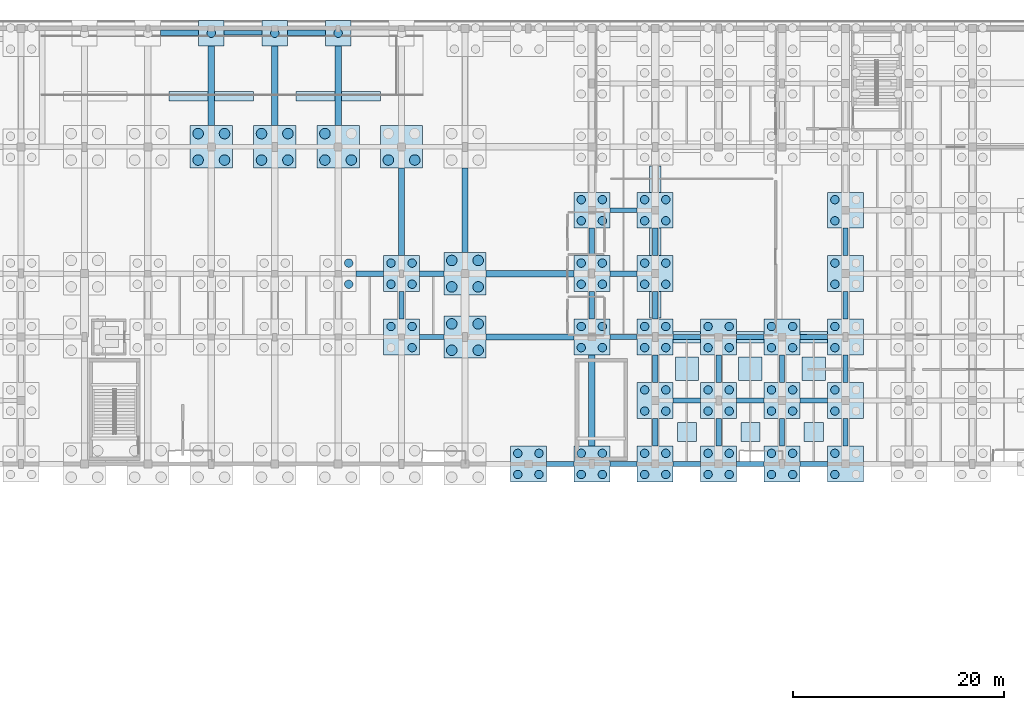
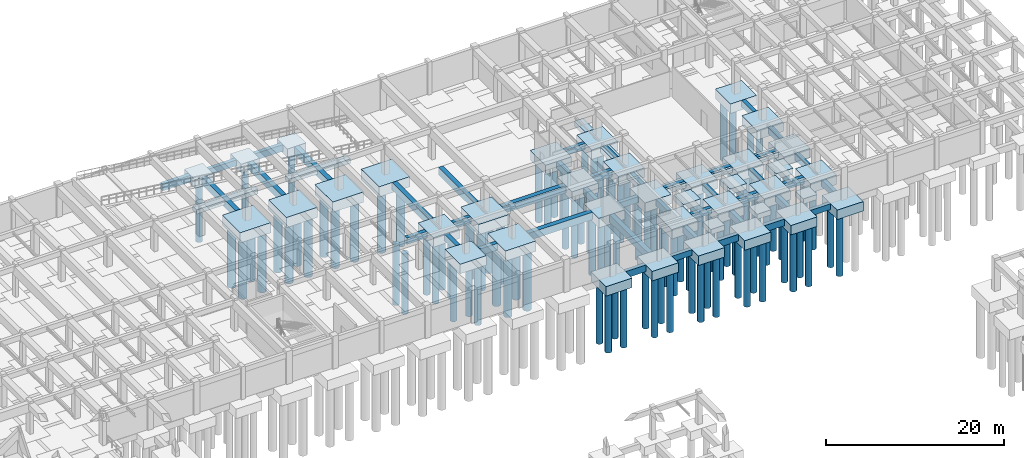
# One storey, part 7 of 32: 107 piles, 85 footings.
"""IFC4 building model written with IfcOpenShell, lengths in metres."""

from ifc_helpers import new_model, si_unit, direction, frame, origin, origin_2d, place, context, subcontext, project, spatial, rectangle, circle, extrude, material, material_profile, profile_set, type_object, element, save


model = new_model("IFC4")

# Units and contexts
model_context = context("Model", 3, precision=1e-05, world=origin(), true_north=direction((0.0, 1.0)))
body_context = subcontext(model_context, "Body", "Model", "MODEL_VIEW")
ifc_project = project(units=[si_unit("LENGTHUNIT", "METRE"), si_unit("AREAUNIT", "SQUARE_METRE"), si_unit("VOLUMEUNIT", "CUBIC_METRE"), si_unit("PLANEANGLEUNIT", "RADIAN"), si_unit("MASSUNIT", "GRAM", prefix="KILO")], contexts=[model_context])

# Site, building, storey
site_placement = place(None, origin())
site = spatial("IfcSite", under=ifc_project, at=site_placement, CompositionType="ELEMENT")
building_placement = place(site_placement, origin())
building = spatial("IfcBuilding", under=site, at=building_placement, Name="Varnakota Square Police Headquarters", CompositionType="ELEMENT")
storey_placement = place(building_placement, frame((0.0, 0.0, -4.5)))
storey = spatial("IfcBuildingStorey", under=building, at=storey_placement, Name="B1", CompositionType="ELEMENT", Elevation=-4.5)

# Footings
ifc_material_1 = material(Name="Concrete M40", Category="concrete")
ifc_material_profile_1 = material_profile(ifc_material_1, rectangle(XDim=0.5, YDim=0.89990234375, at=origin_2d()), Name="GB 500x900")
ifc_profile_set_1 = profile_set([ifc_material_profile_1], Name="Concrete M40")
footing_type_1 = type_object("IfcFootingType", Name="FT-GB1", PredefinedType="FOOTING_BEAM", material=ifc_profile_set_1)
for number, where, z_axis, x_axis, name in (
    (1, (103.699951171875, 69.0, -0.449951171875), (1.0, 0.0, 0.0), (0.0, 1.0, 0.0), "Ground tie beam GB-0068"),
    (2, (115.699951171875, 69.0, -0.449951171875), (1.0, 0.0, 0.0), (0.0, 1.0, 0.0), "Ground tie beam GB-0070"),
    (3, (121.699951171875, 69.0, -0.449951171875), (1.0, 0.0, 0.0), (0.0, 1.0, 0.0), "Ground tie beam GB-0071"),
    (4, (121.699951171875, 75.0, -0.449951171875), (1.0, 0.0, 0.0), (0.0, 1.0, 0.0), "Ground tie beam GB-0085"),
    (5, (127.699951171875, 75.0, -0.449951171875), (1.0, 0.0, 0.0), (0.0, 1.0, 0.0), "Ground tie beam GB-0086"),
):
    element("IfcFooting", number, at=place(storey_placement, frame(where, z_axis=z_axis, x_axis=x_axis)), inside=storey, type_object=footing_type_1, Name=name, PredefinedType="FOOTING_BEAM", context=body_context, shape_type="SweptSolid", body=[
        extrude(rectangle(XDim=0.5, YDim=0.89990234375, at=origin_2d()), origin(), (0.0, 0.0, 1.0), 2.60009765625),
    ])
footing_1_placement = place(storey_placement, frame((91.699951171875, 81.0, -0.449951171875), z_axis=(1.0, 0.0, 0.0), x_axis=(0.0, 1.0, 0.0)))
element("IfcFooting", 6, at=footing_1_placement, inside=storey, type_object=footing_type_1, Name="Ground tie beam GB-0103", PredefinedType="FOOTING_BEAM", context=body_context, shape_type="SweptSolid", body=[
    extrude(rectangle(XDim=0.5, YDim=0.89990234375, at=origin_2d()), origin(), (0.0, 0.0, 1.0), 2.300048828125),
])
for number, where, z_axis, x_axis, name in (
    (7, (115.699951171875, 81.0, -0.449951171875), (1.0, 0.0, 0.0), (0.0, 1.0, 0.0), "Ground tie beam GB-0106"),
    (8, (121.699951171875, 81.0, -0.449951171875), (1.0, 0.0, 0.0), (0.0, 1.0, 0.0), "Ground tie beam GB-0107"),
    (9, (85.699951171875, 87.0, -0.449951171875), (1.0, 0.0, 0.0), (0.0, 1.0, 0.0), "Ground tie beam GB-0124"),
):
    element("IfcFooting", number, at=place(storey_placement, frame(where, z_axis=z_axis, x_axis=x_axis)), inside=storey, type_object=footing_type_1, Name=name, PredefinedType="FOOTING_BEAM", context=body_context, shape_type="SweptSolid", body=[
        extrude(rectangle(XDim=0.5, YDim=0.89990234375, at=origin_2d()), origin(), (0.0, 0.0, 1.0), 2.60009765625),
    ])
footing_2_placement = place(storey_placement, frame((91.699951171875, 87.0, -0.449951171875), z_axis=(1.0, 0.0, 0.0), x_axis=(0.0, 1.0, 0.0)))
element("IfcFooting", 10, at=footing_2_placement, inside=storey, type_object=footing_type_1, Name="Ground tie beam GB-0125", PredefinedType="FOOTING_BEAM", context=body_context, shape_type="SweptSolid", body=[
    extrude(rectangle(XDim=0.5, YDim=0.89990234375, at=origin_2d()), origin(), (0.0, 0.0, 1.0), 2.300048828125),
])
footing_3_placement = place(storey_placement, frame((109.699951171875, 87.0, -0.449951171875), z_axis=(1.0, 0.0, 0.0), x_axis=(0.0, 1.0, 0.0)))
element("IfcFooting", 11, at=footing_3_placement, inside=storey, type_object=footing_type_1, Name="Ground tie beam GB-0127", PredefinedType="FOOTING_BEAM", context=body_context, shape_type="SweptSolid", body=[
    extrude(rectangle(XDim=0.5, YDim=0.89990234375, at=origin_2d()), origin(), (0.0, 0.0, 1.0), 2.60009765625),
])
for number, where, z_axis, x_axis, name in (
    (12, (67.199951171875, 109.800048828125, -0.449951171875), (1.0, 0.0, 0.0), (0.0, 1.0, 0.0), "Ground tie beam GB-0179"),
    (13, (79.199951171875, 109.800048828125, -0.449951171875), (1.0, 0.0, 0.0), (0.0, 1.0, 0.0), "Ground tie beam GB-0181"),
):
    element("IfcFooting", number, at=place(storey_placement, frame(where, z_axis=z_axis, x_axis=x_axis)), inside=storey, type_object=footing_type_1, Name=name, PredefinedType="FOOTING_BEAM", context=body_context, shape_type="SweptSolid", body=[
        extrude(rectangle(XDim=0.5, YDim=0.89990234375, at=origin_2d()), origin(), (0.0, 0.0, 1.0), 3.60009765625),
    ])
for number, where, z_axis, x_axis, name in (
    (14, (90.0, 82.699951171875, -0.449951171875), (0.0, 1.0, 0.0), (-1.0, 0.0, 0.0), "Ground tie beam GB-0285"),
    (15, (108.0, 82.699951171875, -0.449951171875), (0.0, 1.0, 0.0), (-1.0, 0.0, 0.0), "Ground tie beam GB-0300"),
    (16, (108.0, 88.699951171875, -0.449951171875), (0.0, 1.0, 0.0), (-1.0, 0.0, 0.0), "Ground tie beam GB-0301"),
    (17, (114.0, 70.699951171875, -0.449951171875), (0.0, 1.0, 0.0), (-1.0, 0.0, 0.0), "Ground tie beam GB-0305"),
    (18, (114.0, 76.699951171875, -0.449951171875), (0.0, 1.0, 0.0), (-1.0, 0.0, 0.0), "Ground tie beam GB-0306"),
    (19, (114.0, 82.699951171875, -0.449951171875), (0.0, 1.0, 0.0), (-1.0, 0.0, 0.0), "Ground tie beam GB-0307"),
    (20, (114.0, 88.699951171875, -0.449951171875), (0.0, 1.0, 0.0), (-1.0, 0.0, 0.0), "Ground tie beam GB-0308"),
    (21, (120.0, 70.699951171875, -0.449951171875), (0.0, 1.0, 0.0), (-1.0, 0.0, 0.0), "Ground tie beam GB-0313"),
    (22, (120.0, 76.699951171875, -0.449951171875), (0.0, 1.0, 0.0), (-1.0, 0.0, 0.0), "Ground tie beam GB-0314"),
    (23, (126.0, 70.699951171875, -0.449951171875), (0.0, 1.0, 0.0), (-1.0, 0.0, 0.0), "Ground tie beam GB-0318"),
    (24, (126.0, 76.699951171875, -0.449951171875), (0.0, 1.0, 0.0), (-1.0, 0.0, 0.0), "Ground tie beam GB-0319"),
    (25, (132.0, 70.699951171875, -0.449951171875), (0.0, 1.0, 0.0), (-1.0, 0.0, 0.0), "Ground tie beam GB-0323"),
    (26, (132.0, 76.699951171875, -0.449951171875), (0.0, 1.0, 0.0), (-1.0, 0.0, 0.0), "Ground tie beam GB-0324"),
    (27, (132.0, 82.699951171875, -0.449951171875), (0.0, 1.0, 0.0), (-1.0, 0.0, 0.0), "Ground tie beam GB-0325"),
    (28, (132.0, 88.699951171875, -0.449951171875), (0.0, 1.0, 0.0), (-1.0, 0.0, 0.0), "Ground tie beam GB-0326"),
):
    element("IfcFooting", number, at=place(storey_placement, frame(where, z_axis=z_axis, x_axis=x_axis)), inside=storey, type_object=footing_type_1, Name=name, PredefinedType="FOOTING_BEAM", context=body_context, shape_type="SweptSolid", body=[
        extrude(rectangle(XDim=0.5, YDim=0.89990234375, at=origin_2d()), origin(), (0.0, 0.0, 1.0), 2.60009765625),
    ])
ifc_material_profile_2 = material_profile(ifc_material_1, rectangle(XDim=0.60009765625, YDim=1.0, at=origin_2d()), Name="GB 600x1000")
ifc_profile_set_2 = profile_set([ifc_material_profile_2], Name="Concrete M40")
footing_type_2 = type_object("IfcFootingType", Name="FT-GB2", PredefinedType="FOOTING_BEAM", material=ifc_profile_set_2)
for number, where, z_axis, x_axis, name in (
    (29, (98.0, 81.0, -0.5), (1.0, 0.0, 0.0), (0.0, 1.0, 0.0), "Ground tie beam GB-0104"),
    (30, (98.0, 87.0, -0.5), (1.0, 0.0, 0.0), (0.0, 1.0, 0.0), "Ground tie beam GB-0126"),
):
    element("IfcFooting", number, at=place(storey_placement, frame(where, z_axis=z_axis, x_axis=x_axis)), inside=storey, type_object=footing_type_2, Name=name, PredefinedType="FOOTING_BEAM", context=body_context, shape_type="SweptSolid", body=[
        extrude(rectangle(XDim=0.60009765625, YDim=1.0, at=origin_2d()), origin(), (0.0, 0.0, 1.0), 8.300048828125),
    ])
for number, where, z_axis, x_axis, name in (
    (31, (72.0, 101.0, -0.5), (0.0, 1.0, 0.0), (-1.0, 0.0, 0.0), "Ground tie beam GB-0270"),
    (32, (78.0, 101.0, -0.5), (0.0, 1.0, 0.0), (-1.0, 0.0, 0.0), "Ground tie beam GB-0275"),
    (33, (84.0, 101.0, -0.5), (0.0, 1.0, 0.0), (-1.0, 0.0, 0.0), "Ground tie beam GB-0280"),
):
    element("IfcFooting", number, at=place(storey_placement, frame(where, z_axis=z_axis, x_axis=x_axis)), inside=storey, type_object=footing_type_2, Name=name, PredefinedType="FOOTING_BEAM", context=body_context, shape_type="SweptSolid", body=[
        extrude(rectangle(XDim=0.60009765625, YDim=1.0, at=origin_2d()), origin(), (0.0, 0.0, 1.0), 7.550048828125),
    ])
footing_4_placement = place(storey_placement, frame((90.0, 88.699951171875, -0.5), z_axis=(0.0, 1.0, 0.0), x_axis=(-1.0, 0.0, 0.0)))
element("IfcFooting", 34, at=footing_4_placement, inside=storey, type_object=footing_type_2, Name="Ground tie beam GB-0286", PredefinedType="FOOTING_BEAM", context=body_context, shape_type="SweptSolid", body=[
    extrude(rectangle(XDim=0.60009765625, YDim=1.0, at=origin_2d()), origin(), (0.0, 0.0, 1.0), 8.300048828125),
])
footing_5_placement = place(storey_placement, frame((96.0, 89.0, -0.5), z_axis=(0.0, 1.0, 0.0), x_axis=(-1.0, 0.0, 0.0)))
element("IfcFooting", 35, at=footing_5_placement, inside=storey, type_object=footing_type_2, Name="Ground tie beam GB-0295", PredefinedType="FOOTING_BEAM", context=body_context, shape_type="SweptSolid", body=[
    extrude(rectangle(XDim=0.60009765625, YDim=1.0, at=origin_2d()), origin(), (0.0, 0.0, 1.0), 8.0),
])
footing_6_placement = place(storey_placement, frame((108.0, 70.699951171875, -0.5), z_axis=(0.0, 1.0, 0.0), x_axis=(-1.0, 0.0, 0.0)))
element("IfcFooting", 36, at=footing_6_placement, inside=storey, type_object=footing_type_2, Name="Ground tie beam GB-0299", PredefinedType="FOOTING_BEAM", context=body_context, shape_type="SweptSolid", body=[
    extrude(rectangle(XDim=0.60009765625, YDim=1.0, at=origin_2d()), origin(), (0.0, 0.0, 1.0), 8.60009765625),
])
ifc_material_profile_3 = material_profile(ifc_material_1, rectangle(XDim=0.449951171875, YDim=0.800048828125, at=origin_2d()), Name="GB 450x800")
ifc_profile_set_3 = profile_set([ifc_material_profile_3], Name="Concrete M40")
footing_type_3 = type_object("IfcFootingType", Name="FT-GB3", PredefinedType="FOOTING_BEAM", material=ifc_profile_set_3)
for number, where, z_axis, x_axis, name in (
    (37, (109.699951171875, 69.0, -0.39990234375), (1.0, 0.0, 0.0), (0.0, 1.0, 0.0), "Ground tie beam GB-0069"),
    (38, (127.699951171875, 69.0, -0.39990234375), (1.0, 0.0, 0.0), (0.0, 1.0, 0.0), "Ground tie beam GB-0072"),
    (39, (115.699951171875, 75.0, -0.39990234375), (1.0, 0.0, 0.0), (0.0, 1.0, 0.0), "Ground tie beam GB-0084"),
    (40, (109.699951171875, 81.0, -0.39990234375), (1.0, 0.0, 0.0), (0.0, 1.0, 0.0), "Ground tie beam GB-0105"),
    (41, (127.699951171875, 81.0, -0.39990234375), (1.0, 0.0, 0.0), (0.0, 1.0, 0.0), "Ground tie beam GB-0108"),
    (42, (109.699951171875, 93.0, -0.39990234375), (1.0, 0.0, 0.0), (0.0, 1.0, 0.0), "Ground tie beam GB-0132"),
):
    element("IfcFooting", number, at=place(storey_placement, frame(where, z_axis=z_axis, x_axis=x_axis)), inside=storey, type_object=footing_type_3, Name=name, PredefinedType="FOOTING_BEAM", context=body_context, shape_type="SweptSolid", body=[
        extrude(rectangle(XDim=0.449951171875, YDim=0.800048828125, at=origin_2d()), origin(), (0.0, 0.0, 1.0), 2.60009765625),
    ])
footing_7_placement = place(storey_placement, frame((73.199951171875, 109.800048828125, -0.39990234375), z_axis=(1.0, 0.0, 0.0), x_axis=(0.0, 1.0, 0.0)))
element("IfcFooting", 43, at=footing_7_placement, inside=storey, type_object=footing_type_3, Name="Ground tie beam GB-0180", PredefinedType="FOOTING_BEAM", context=body_context, shape_type="SweptSolid", body=[
    extrude(rectangle(XDim=0.449951171875, YDim=0.800048828125, at=origin_2d()), origin(), (0.0, 0.0, 1.0), 3.60009765625),
])
footing_type_4 = type_object("IfcFootingType", Name="FT-PC1", PredefinedType="PILE_CAP", material=ifc_material_1)
for number, where, z_axis, x_axis, name in (
    (44, (72.0, 109.75, -1.2001953125), (0.0, 0.0, 1.0), (1.0, 0.0, 0.0), "Pile cap CAP-X0720-Y1102"),
    (45, (78.0, 109.75, -1.2001953125), (0.0, 0.0, 1.0), (1.0, 0.0, 0.0), "Pile cap CAP-X0780-Y1102"),
    (46, (84.0, 109.75, -1.2001953125), (0.0, 0.0, 1.0), (1.0, 0.0, 0.0), "Pile cap CAP-X0840-Y1102"),
):
    element("IfcFooting", number, at=place(storey_placement, frame(where, z_axis=z_axis, x_axis=x_axis)), inside=storey, type_object=footing_type_4, Name=name, PredefinedType="PILE_CAP", context=body_context, shape_type="SweptSolid", body=[
        extrude(rectangle(XDim=2.39990234375, YDim=2.39990234375, at=origin_2d()), origin(), (0.0, 0.0, 1.0), 1.199951171875),
    ])
footing_type_5 = type_object("IfcFootingType", Name="FT-PC4", PredefinedType="PILE_CAP", material=ifc_material_1)
for number, where, z_axis, x_axis, name in (
    (47, (90.0, 81.0, -1.2998046875), (0.0, 0.0, 1.0), (1.0, 0.0, 0.0), "Pile cap CAP-X0900-Y0810"),
    (48, (90.0, 87.0, -1.2998046875), (0.0, 0.0, 1.0), (1.0, 0.0, 0.0), "Pile cap CAP-X0900-Y0870"),
    (49, (102.0, 69.0, -1.2998046875), (0.0, 0.0, 1.0), (1.0, 0.0, 0.0), "Pile cap CAP-X1020-Y0690"),
    (50, (108.0, 69.0, -1.2998046875), (0.0, 0.0, 1.0), (1.0, 0.0, 0.0), "Pile cap CAP-X1080-Y0690"),
    (51, (108.0, 81.0, -1.2998046875), (0.0, 0.0, 1.0), (1.0, 0.0, 0.0), "Pile cap CAP-X1080-Y0810"),
    (52, (108.0, 87.0, -1.2998046875), (0.0, 0.0, 1.0), (1.0, 0.0, 0.0), "Pile cap CAP-X1080-Y0870"),
    (53, (108.0, 93.0, -1.2998046875), (0.0, 0.0, 1.0), (1.0, 0.0, 0.0), "Pile cap CAP-X1080-Y0930"),
    (54, (114.0, 69.0, -1.2998046875), (0.0, 0.0, 1.0), (1.0, 0.0, 0.0), "Pile cap CAP-X1140-Y0690"),
    (55, (114.0, 75.0, -1.2998046875), (0.0, 0.0, 1.0), (1.0, 0.0, 0.0), "Pile cap CAP-X1140-Y0750"),
    (56, (114.0, 81.0, -1.2998046875), (0.0, 0.0, 1.0), (1.0, 0.0, 0.0), "Pile cap CAP-X1140-Y0810"),
    (57, (114.0, 87.0, -1.2998046875), (0.0, 0.0, 1.0), (1.0, 0.0, 0.0), "Pile cap CAP-X1140-Y0870"),
    (58, (114.0, 93.0, -1.2998046875), (0.0, 0.0, 1.0), (1.0, 0.0, 0.0), "Pile cap CAP-X1140-Y0930"),
    (59, (120.0, 69.0, -1.2998046875), (0.0, 0.0, 1.0), (1.0, 0.0, 0.0), "Pile cap CAP-X1200-Y0690"),
    (60, (120.0, 75.0, -1.2998046875), (0.0, 0.0, 1.0), (1.0, 0.0, 0.0), "Pile cap CAP-X1200-Y0750"),
    (61, (120.0, 81.0, -1.2998046875), (0.0, 0.0, 1.0), (1.0, 0.0, 0.0), "Pile cap CAP-X1200-Y0810"),
    (62, (126.0, 69.0, -1.2998046875), (0.0, 0.0, 1.0), (1.0, 0.0, 0.0), "Pile cap CAP-X1260-Y0690"),
    (63, (126.0, 75.0, -1.2998046875), (0.0, 0.0, 1.0), (1.0, 0.0, 0.0), "Pile cap CAP-X1260-Y0750"),
    (64, (126.0, 81.0, -1.2998046875), (0.0, 0.0, 1.0), (1.0, 0.0, 0.0), "Pile cap CAP-X1260-Y0810"),
    (65, (132.0, 69.0, -1.2998046875), (0.0, 0.0, 1.0), (1.0, 0.0, 0.0), "Pile cap CAP-X1320-Y0690"),
    (66, (132.0, 75.0, -1.2998046875), (0.0, 0.0, 1.0), (1.0, 0.0, 0.0), "Pile cap CAP-X1320-Y0750"),
    (67, (132.0, 81.0, -1.2998046875), (0.0, 0.0, 1.0), (1.0, 0.0, 0.0), "Pile cap CAP-X1320-Y0810"),
    (68, (132.0, 87.0, -1.2998046875), (0.0, 0.0, 1.0), (1.0, 0.0, 0.0), "Pile cap CAP-X1320-Y0870"),
    (69, (132.0, 93.0, -1.2998046875), (0.0, 0.0, 1.0), (1.0, 0.0, 0.0), "Pile cap CAP-X1320-Y0930"),
):
    element("IfcFooting", number, at=place(storey_placement, frame(where, z_axis=z_axis, x_axis=x_axis)), inside=storey, type_object=footing_type_5, Name=name, PredefinedType="PILE_CAP", context=body_context, shape_type="SweptSolid", body=[
        extrude(rectangle(XDim=3.39990234375, YDim=3.39990234375, at=origin_2d()), origin(), (0.0, 0.0, 1.0), 1.300048828125),
    ])
ifc_material_2 = material(Name="Concrete M50", Category="concrete")
footing_type_6 = type_object("IfcFootingType", Name="FT-PC6", PredefinedType="PILE_CAP", material=ifc_material_2)
for number, where, z_axis, x_axis, name in (
    (70, (72.0, 99.0, -1.39990234375), (0.0, 0.0, 1.0), (1.0, 0.0, 0.0), "Pile cap CAP-X0720-Y0990"),
    (71, (78.0, 99.0, -1.39990234375), (0.0, 0.0, 1.0), (1.0, 0.0, 0.0), "Pile cap CAP-X0780-Y0990"),
    (72, (84.0, 99.0, -1.39990234375), (0.0, 0.0, 1.0), (1.0, 0.0, 0.0), "Pile cap CAP-X0840-Y0990"),
    (73, (90.0, 99.0, -1.39990234375), (0.0, 0.0, 1.0), (1.0, 0.0, 0.0), "Pile cap CAP-X0900-Y0990"),
    (74, (96.0, 81.0, -1.39990234375), (0.0, 0.0, 1.0), (1.0, 0.0, 0.0), "Pile cap CAP-X0960-Y0810"),
    (75, (96.0, 87.0, -1.39990234375), (0.0, 0.0, 1.0), (1.0, 0.0, 0.0), "Pile cap CAP-X0960-Y0870"),
):
    element("IfcFooting", number, at=place(storey_placement, frame(where, z_axis=z_axis, x_axis=x_axis)), inside=storey, type_object=footing_type_6, Name=name, PredefinedType="PILE_CAP", context=body_context, shape_type="SweptSolid", body=[
        extrude(rectangle(XDim=4.0, YDim=4.0, at=origin_2d()), origin(), (0.0, 0.0, 1.0), 1.39990234375),
    ])
footing_type_7 = type_object("IfcFootingType", Name="FT-PF1", PredefinedType="PAD_FOOTING", material=ifc_material_1)
for number, where, z_axis, x_axis, name in (
    (76, (117.0, 72.0, -0.7001953125), (0.0, 0.0, 1.0), (1.0, 0.0, 0.0), "Equipment pad footing 1"),
    (77, (123.0, 72.0, -0.7001953125), (0.0, 0.0, 1.0), (1.0, 0.0, 0.0), "Equipment pad footing 2"),
    (78, (129.0, 72.0, -0.7001953125), (0.0, 0.0, 1.0), (1.0, 0.0, 0.0), "Equipment pad footing 3"),
):
    element("IfcFooting", number, at=place(storey_placement, frame(where, z_axis=z_axis, x_axis=x_axis)), inside=storey, type_object=footing_type_7, Name=name, PredefinedType="PAD_FOOTING", context=body_context, shape_type="SweptSolid", body=[
        extrude(rectangle(XDim=1.800048828125, YDim=1.800048828125, at=origin_2d()), origin(), (0.0, 0.0, 1.0), 0.699951171875),
    ])
footing_type_8 = type_object("IfcFootingType", Name="FT-PF2", PredefinedType="PAD_FOOTING", material=ifc_material_1)
for number, where, z_axis, x_axis, name in (
    (79, (117.0, 78.0, -0.7998046875), (0.0, 0.0, 1.0), (1.0, 0.0, 0.0), "Equipment pad footing 4"),
    (80, (123.0, 78.0, -0.7998046875), (0.0, 0.0, 1.0), (1.0, 0.0, 0.0), "Equipment pad footing 5"),
    (81, (129.0, 78.0, -0.7998046875), (0.0, 0.0, 1.0), (1.0, 0.0, 0.0), "Equipment pad footing 6"),
):
    element("IfcFooting", number, at=place(storey_placement, frame(where, z_axis=z_axis, x_axis=x_axis)), inside=storey, type_object=footing_type_8, Name=name, PredefinedType="PAD_FOOTING", context=body_context, shape_type="SweptSolid", body=[
        extrude(rectangle(XDim=2.199951171875, YDim=2.199951171875, at=origin_2d()), origin(), (0.0, 0.0, 1.0), 0.800048828125),
    ])
ifc_material_profile_4 = material_profile(ifc_material_1, rectangle(XDim=0.89990234375, YDim=0.60009765625, at=origin_2d()), Name="SF 900x600")
ifc_profile_set_4 = profile_set([ifc_material_profile_4], Name="Concrete M40")
footing_type_9 = type_object("IfcFootingType", Name="FT-SF1", PredefinedType="STRIP_FOOTING", material=ifc_profile_set_4)
for number, where, z_axis, x_axis, name in (
    (82, (68.0, 103.800048828125, -0.300048828125), (1.0, 0.0, 0.0), (0.0, 1.0, 0.0), "Strip footing SF-02"),
    (83, (80.0, 103.800048828125, -0.300048828125), (1.0, 0.0, 0.0), (0.0, 1.0, 0.0), "Strip footing SF-03"),
):
    element("IfcFooting", number, at=place(storey_placement, frame(where, z_axis=z_axis, x_axis=x_axis)), inside=storey, type_object=footing_type_9, Name=name, PredefinedType="STRIP_FOOTING", context=body_context, shape_type="SweptSolid", body=[
        extrude(rectangle(XDim=0.89990234375, YDim=0.60009765625, at=origin_2d()), origin(), (0.0, 0.0, 1.0), 8.0),
    ])
ifc_material_profile_5 = material_profile(ifc_material_1, rectangle(XDim=1.10009765625, YDim=0.699951171875, at=origin_2d()), Name="SF 1100x700")
ifc_profile_set_5 = profile_set([ifc_material_profile_5], Name="Concrete M40")
footing_type_10 = type_object("IfcFootingType", Name="FT-SF2", PredefinedType="STRIP_FOOTING", material=ifc_profile_set_5)
footing_8_placement = place(storey_placement, frame((115.5, 81.0, -0.35009765625), z_axis=(1.0, 0.0, 0.0), x_axis=(0.0, 1.0, 0.0)))
element("IfcFooting", 84, at=footing_8_placement, inside=storey, type_object=footing_type_10, Name="Strip footing SF-04", PredefinedType="STRIP_FOOTING", context=body_context, shape_type="SweptSolid", body=[
    extrude(rectangle(XDim=1.10009765625, YDim=0.699951171875, at=origin_2d()), origin(), (0.0, 0.0, 1.0), 15.0),
])
footing_9_placement = place(storey_placement, frame((114.0, 82.800048828125, -0.35009765625), z_axis=(0.0, 1.0, 0.0), x_axis=(-1.0, 0.0, 0.0)))
element("IfcFooting", 85, at=footing_9_placement, inside=storey, type_object=footing_type_10, Name="Strip footing SF-06", PredefinedType="STRIP_FOOTING", context=body_context, shape_type="SweptSolid", body=[
    extrude(rectangle(XDim=1.10009765625, YDim=0.699951171875, at=origin_2d()), origin(), (0.0, 0.0, 1.0), 14.39990234375),
])

# Piles
ifc_material_profile_6 = material_profile(ifc_material_2, circle(Radius=0.5, at=origin_2d()), Name="BORED PILE 1000")
ifc_profile_set_6 = profile_set([ifc_material_profile_6], Name="Concrete M50")
pile_type_1 = type_object("IfcPileType", Name="PILE-D1000", PredefinedType="BORED", material=ifc_profile_set_6)
for number, where, z_axis, x_axis, name in (
    (86, (70.75, 97.75, -1.300048828125), (0.0, 0.0, -1.0), (1.0, 0.0, 0.0), "Bored pile PLG-0558"),
    (87, (70.75, 100.25, -1.300048828125), (0.0, 0.0, -1.0), (1.0, 0.0, 0.0), "Bored pile PLG-0559"),
    (88, (73.25, 97.75, -1.300048828125), (0.0, 0.0, -1.0), (1.0, 0.0, 0.0), "Bored pile PLG-0560"),
    (89, (73.25, 100.25, -1.300048828125), (0.0, 0.0, -1.0), (1.0, 0.0, 0.0), "Bored pile PLG-0561"),
    (90, (76.75, 97.75, -1.300048828125), (0.0, 0.0, -1.0), (1.0, 0.0, 0.0), "Bored pile PLG-0581"),
    (91, (76.75, 100.25, -1.300048828125), (0.0, 0.0, -1.0), (1.0, 0.0, 0.0), "Bored pile PLG-0582"),
    (92, (79.25, 97.75, -1.300048828125), (0.0, 0.0, -1.0), (1.0, 0.0, 0.0), "Bored pile PLG-0583"),
    (93, (79.25, 100.25, -1.300048828125), (0.0, 0.0, -1.0), (1.0, 0.0, 0.0), "Bored pile PLG-0584"),
    (94, (82.75, 97.75, -1.300048828125), (0.0, 0.0, -1.0), (1.0, 0.0, 0.0), "Bored pile PLG-0604"),
    (95, (82.75, 100.25, -1.300048828125), (0.0, 0.0, -1.0), (1.0, 0.0, 0.0), "Bored pile PLG-0605"),
    (96, (85.25, 97.75, -1.300048828125), (0.0, 0.0, -1.0), (1.0, 0.0, 0.0), "Bored pile PLG-0606"),
    (97, (88.75, 97.75, -1.300048828125), (0.0, 0.0, -1.0), (1.0, 0.0, 0.0), "Bored pile PLG-0631"),
    (98, (91.25, 97.75, -1.300048828125), (0.0, 0.0, -1.0), (1.0, 0.0, 0.0), "Bored pile PLG-0633"),
    (99, (94.75, 79.75, -1.300048828125), (0.0, 0.0, -1.0), (1.0, 0.0, 0.0), "Bored pile PLG-0654"),
    (100, (94.75, 82.25, -1.300048828125), (0.0, 0.0, -1.0), (1.0, 0.0, 0.0), "Bored pile PLG-0655"),
    (101, (97.25, 79.75, -1.300048828125), (0.0, 0.0, -1.0), (1.0, 0.0, 0.0), "Bored pile PLG-0656"),
    (102, (97.25, 82.25, -1.300048828125), (0.0, 0.0, -1.0), (1.0, 0.0, 0.0), "Bored pile PLG-0657"),
    (103, (94.75, 85.75, -1.300048828125), (0.0, 0.0, -1.0), (1.0, 0.0, 0.0), "Bored pile PLG-0658"),
    (104, (94.75, 88.25, -1.300048828125), (0.0, 0.0, -1.0), (1.0, 0.0, 0.0), "Bored pile PLG-0659"),
    (105, (97.25, 85.75, -1.300048828125), (0.0, 0.0, -1.0), (1.0, 0.0, 0.0), "Bored pile PLG-0660"),
    (106, (97.25, 88.25, -1.300048828125), (0.0, 0.0, -1.0), (1.0, 0.0, 0.0), "Bored pile PLG-0661"),
):
    element("IfcPile", number, at=place(storey_placement, frame(where, z_axis=z_axis, x_axis=x_axis)), inside=storey, type_object=pile_type_1, Name=name, PredefinedType="BORED", context=body_context, shape_type="SweptSolid", body=[
        extrude(circle(Radius=0.5, at=origin_2d()), origin(), (0.0, 0.0, 1.0), 8.199951171875),
    ])
ifc_material_profile_7 = material_profile(ifc_material_1, circle(Radius=0.39990234375, at=origin_2d()), Name="BORED PILE 800")
ifc_profile_set_7 = profile_set([ifc_material_profile_7], Name="Concrete M40")
pile_type_2 = type_object("IfcPileType", Name="PILE-D800", PredefinedType="BORED", material=ifc_profile_set_7)
for number, where, z_axis, x_axis, name in (
    (107, (72.0, 109.75, -1.10009765625), (0.0, 0.0, -1.0), (1.0, 0.0, 0.0), "Bored pile PLG-0562"),
    (108, (78.0, 109.75, -1.10009765625), (0.0, 0.0, -1.0), (1.0, 0.0, 0.0), "Bored pile PLG-0585"),
):
    element("IfcPile", number, at=place(storey_placement, frame(where, z_axis=z_axis, x_axis=x_axis)), inside=storey, type_object=pile_type_2, Name=name, PredefinedType="BORED", context=body_context, shape_type="SweptSolid", body=[
        extrude(circle(Radius=0.39990234375, at=origin_2d()), origin(), (0.0, 0.0, 1.0), 8.39990234375),
    ])
for number, where, z_axis, x_axis, name in (
    (109, (85.0, 86.0, -1.199951171875), (0.0, 0.0, -1.0), (1.0, 0.0, 0.0), "Bored pile PLG-0602"),
    (110, (85.0, 88.0, -1.199951171875), (0.0, 0.0, -1.0), (1.0, 0.0, 0.0), "Bored pile PLG-0603"),
):
    element("IfcPile", number, at=place(storey_placement, frame(where, z_axis=z_axis, x_axis=x_axis)), inside=storey, type_object=pile_type_2, Name=name, PredefinedType="BORED", context=body_context, shape_type="SweptSolid", body=[
        extrude(circle(Radius=0.39990234375, at=origin_2d()), origin(), (0.0, 0.0, 1.0), 8.300048828125),
    ])
pile_placement = place(storey_placement, frame((84.0, 109.75, -1.10009765625), z_axis=(0.0, 0.0, -1.0), x_axis=(1.0, 0.0, 0.0)))
element("IfcPile", 111, at=pile_placement, inside=storey, type_object=pile_type_2, Name="Bored pile PLG-0608", PredefinedType="BORED", context=body_context, shape_type="SweptSolid", body=[
    extrude(circle(Radius=0.39990234375, at=origin_2d()), origin(), (0.0, 0.0, 1.0), 8.39990234375),
])
for number, where, z_axis, x_axis, name in (
    (112, (89.0, 82.0, -1.199951171875), (0.0, 0.0, -1.0), (1.0, 0.0, 0.0), "Bored pile PLG-0624"),
    (113, (91.0, 80.0, -1.199951171875), (0.0, 0.0, -1.0), (1.0, 0.0, 0.0), "Bored pile PLG-0625"),
    (114, (91.0, 82.0, -1.199951171875), (0.0, 0.0, -1.0), (1.0, 0.0, 0.0), "Bored pile PLG-0626"),
    (115, (89.0, 86.0, -1.199951171875), (0.0, 0.0, -1.0), (1.0, 0.0, 0.0), "Bored pile PLG-0627"),
    (116, (89.0, 88.0, -1.199951171875), (0.0, 0.0, -1.0), (1.0, 0.0, 0.0), "Bored pile PLG-0628"),
    (117, (91.0, 86.0, -1.199951171875), (0.0, 0.0, -1.0), (1.0, 0.0, 0.0), "Bored pile PLG-0629"),
    (118, (91.0, 88.0, -1.199951171875), (0.0, 0.0, -1.0), (1.0, 0.0, 0.0), "Bored pile PLG-0630"),
    (119, (101.0, 68.0, -1.199951171875), (0.0, 0.0, -1.0), (1.0, 0.0, 0.0), "Bored pile PLG-0680"),
    (120, (101.0, 70.0, -1.199951171875), (0.0, 0.0, -1.0), (1.0, 0.0, 0.0), "Bored pile PLG-0681"),
    (121, (103.0, 68.0, -1.199951171875), (0.0, 0.0, -1.0), (1.0, 0.0, 0.0), "Bored pile PLG-0682"),
    (122, (103.0, 70.0, -1.199951171875), (0.0, 0.0, -1.0), (1.0, 0.0, 0.0), "Bored pile PLG-0683"),
    (123, (107.0, 68.0, -1.199951171875), (0.0, 0.0, -1.0), (1.0, 0.0, 0.0), "Bored pile PLG-0703"),
    (124, (107.0, 70.0, -1.199951171875), (0.0, 0.0, -1.0), (1.0, 0.0, 0.0), "Bored pile PLG-0704"),
    (125, (109.0, 68.0, -1.199951171875), (0.0, 0.0, -1.0), (1.0, 0.0, 0.0), "Bored pile PLG-0705"),
    (126, (109.0, 70.0, -1.199951171875), (0.0, 0.0, -1.0), (1.0, 0.0, 0.0), "Bored pile PLG-0706"),
    (127, (107.0, 80.0, -1.199951171875), (0.0, 0.0, -1.0), (1.0, 0.0, 0.0), "Bored pile PLG-0707"),
    (128, (107.0, 82.0, -1.199951171875), (0.0, 0.0, -1.0), (1.0, 0.0, 0.0), "Bored pile PLG-0708"),
    (129, (109.0, 80.0, -1.199951171875), (0.0, 0.0, -1.0), (1.0, 0.0, 0.0), "Bored pile PLG-0709"),
    (130, (109.0, 82.0, -1.199951171875), (0.0, 0.0, -1.0), (1.0, 0.0, 0.0), "Bored pile PLG-0710"),
    (131, (107.0, 86.0, -1.199951171875), (0.0, 0.0, -1.0), (1.0, 0.0, 0.0), "Bored pile PLG-0711"),
    (132, (107.0, 88.0, -1.199951171875), (0.0, 0.0, -1.0), (1.0, 0.0, 0.0), "Bored pile PLG-0712"),
    (133, (109.0, 86.0, -1.199951171875), (0.0, 0.0, -1.0), (1.0, 0.0, 0.0), "Bored pile PLG-0713"),
    (134, (109.0, 88.0, -1.199951171875), (0.0, 0.0, -1.0), (1.0, 0.0, 0.0), "Bored pile PLG-0714"),
    (135, (107.0, 92.0, -1.199951171875), (0.0, 0.0, -1.0), (1.0, 0.0, 0.0), "Bored pile PLG-0715"),
    (136, (107.0, 94.0, -1.199951171875), (0.0, 0.0, -1.0), (1.0, 0.0, 0.0), "Bored pile PLG-0716"),
    (137, (109.0, 92.0, -1.199951171875), (0.0, 0.0, -1.0), (1.0, 0.0, 0.0), "Bored pile PLG-0717"),
    (138, (109.0, 94.0, -1.199951171875), (0.0, 0.0, -1.0), (1.0, 0.0, 0.0), "Bored pile PLG-0718"),
    (139, (113.0, 68.0, -1.199951171875), (0.0, 0.0, -1.0), (1.0, 0.0, 0.0), "Bored pile PLG-0752"),
    (140, (113.0, 70.0, -1.199951171875), (0.0, 0.0, -1.0), (1.0, 0.0, 0.0), "Bored pile PLG-0753"),
    (141, (115.0, 68.0, -1.199951171875), (0.0, 0.0, -1.0), (1.0, 0.0, 0.0), "Bored pile PLG-0754"),
    (142, (115.0, 70.0, -1.199951171875), (0.0, 0.0, -1.0), (1.0, 0.0, 0.0), "Bored pile PLG-0755"),
    (143, (113.0, 74.0, -1.199951171875), (0.0, 0.0, -1.0), (1.0, 0.0, 0.0), "Bored pile PLG-0756"),
    (144, (113.0, 76.0, -1.199951171875), (0.0, 0.0, -1.0), (1.0, 0.0, 0.0), "Bored pile PLG-0757"),
    (145, (115.0, 74.0, -1.199951171875), (0.0, 0.0, -1.0), (1.0, 0.0, 0.0), "Bored pile PLG-0758"),
    (146, (115.0, 76.0, -1.199951171875), (0.0, 0.0, -1.0), (1.0, 0.0, 0.0), "Bored pile PLG-0759"),
    (147, (113.0, 80.0, -1.199951171875), (0.0, 0.0, -1.0), (1.0, 0.0, 0.0), "Bored pile PLG-0760"),
    (148, (113.0, 82.0, -1.199951171875), (0.0, 0.0, -1.0), (1.0, 0.0, 0.0), "Bored pile PLG-0761"),
    (149, (115.0, 80.0, -1.199951171875), (0.0, 0.0, -1.0), (1.0, 0.0, 0.0), "Bored pile PLG-0762"),
    (150, (115.0, 82.0, -1.199951171875), (0.0, 0.0, -1.0), (1.0, 0.0, 0.0), "Bored pile PLG-0763"),
    (151, (113.0, 86.0, -1.199951171875), (0.0, 0.0, -1.0), (1.0, 0.0, 0.0), "Bored pile PLG-0764"),
    (152, (113.0, 88.0, -1.199951171875), (0.0, 0.0, -1.0), (1.0, 0.0, 0.0), "Bored pile PLG-0765"),
    (153, (115.0, 86.0, -1.199951171875), (0.0, 0.0, -1.0), (1.0, 0.0, 0.0), "Bored pile PLG-0766"),
    (154, (115.0, 88.0, -1.199951171875), (0.0, 0.0, -1.0), (1.0, 0.0, 0.0), "Bored pile PLG-0767"),
    (155, (113.0, 92.0, -1.199951171875), (0.0, 0.0, -1.0), (1.0, 0.0, 0.0), "Bored pile PLG-0768"),
    (156, (113.0, 94.0, -1.199951171875), (0.0, 0.0, -1.0), (1.0, 0.0, 0.0), "Bored pile PLG-0769"),
    (157, (115.0, 92.0, -1.199951171875), (0.0, 0.0, -1.0), (1.0, 0.0, 0.0), "Bored pile PLG-0770"),
    (158, (115.0, 94.0, -1.199951171875), (0.0, 0.0, -1.0), (1.0, 0.0, 0.0), "Bored pile PLG-0771"),
    (159, (119.0, 68.0, -1.199951171875), (0.0, 0.0, -1.0), (1.0, 0.0, 0.0), "Bored pile PLG-0805"),
    (160, (119.0, 70.0, -1.199951171875), (0.0, 0.0, -1.0), (1.0, 0.0, 0.0), "Bored pile PLG-0806"),
    (161, (121.0, 68.0, -1.199951171875), (0.0, 0.0, -1.0), (1.0, 0.0, 0.0), "Bored pile PLG-0807"),
    (162, (121.0, 70.0, -1.199951171875), (0.0, 0.0, -1.0), (1.0, 0.0, 0.0), "Bored pile PLG-0808"),
    (163, (119.0, 74.0, -1.199951171875), (0.0, 0.0, -1.0), (1.0, 0.0, 0.0), "Bored pile PLG-0809"),
    (164, (119.0, 76.0, -1.199951171875), (0.0, 0.0, -1.0), (1.0, 0.0, 0.0), "Bored pile PLG-0810"),
    (165, (121.0, 74.0, -1.199951171875), (0.0, 0.0, -1.0), (1.0, 0.0, 0.0), "Bored pile PLG-0811"),
    (166, (121.0, 76.0, -1.199951171875), (0.0, 0.0, -1.0), (1.0, 0.0, 0.0), "Bored pile PLG-0812"),
    (167, (119.0, 80.0, -1.199951171875), (0.0, 0.0, -1.0), (1.0, 0.0, 0.0), "Bored pile PLG-0813"),
    (168, (119.0, 82.0, -1.199951171875), (0.0, 0.0, -1.0), (1.0, 0.0, 0.0), "Bored pile PLG-0814"),
    (169, (121.0, 80.0, -1.199951171875), (0.0, 0.0, -1.0), (1.0, 0.0, 0.0), "Bored pile PLG-0815"),
    (170, (121.0, 82.0, -1.199951171875), (0.0, 0.0, -1.0), (1.0, 0.0, 0.0), "Bored pile PLG-0816"),
    (171, (125.0, 68.0, -1.199951171875), (0.0, 0.0, -1.0), (1.0, 0.0, 0.0), "Bored pile PLG-0847"),
    (172, (125.0, 70.0, -1.199951171875), (0.0, 0.0, -1.0), (1.0, 0.0, 0.0), "Bored pile PLG-0848"),
    (173, (127.0, 68.0, -1.199951171875), (0.0, 0.0, -1.0), (1.0, 0.0, 0.0), "Bored pile PLG-0849"),
    (174, (127.0, 70.0, -1.199951171875), (0.0, 0.0, -1.0), (1.0, 0.0, 0.0), "Bored pile PLG-0850"),
    (175, (125.0, 74.0, -1.199951171875), (0.0, 0.0, -1.0), (1.0, 0.0, 0.0), "Bored pile PLG-0851"),
    (176, (125.0, 76.0, -1.199951171875), (0.0, 0.0, -1.0), (1.0, 0.0, 0.0), "Bored pile PLG-0852"),
    (177, (127.0, 74.0, -1.199951171875), (0.0, 0.0, -1.0), (1.0, 0.0, 0.0), "Bored pile PLG-0853"),
    (178, (127.0, 76.0, -1.199951171875), (0.0, 0.0, -1.0), (1.0, 0.0, 0.0), "Bored pile PLG-0854"),
    (179, (125.0, 80.0, -1.199951171875), (0.0, 0.0, -1.0), (1.0, 0.0, 0.0), "Bored pile PLG-0855"),
    (180, (125.0, 82.0, -1.199951171875), (0.0, 0.0, -1.0), (1.0, 0.0, 0.0), "Bored pile PLG-0856"),
    (181, (127.0, 80.0, -1.199951171875), (0.0, 0.0, -1.0), (1.0, 0.0, 0.0), "Bored pile PLG-0857"),
    (182, (127.0, 82.0, -1.199951171875), (0.0, 0.0, -1.0), (1.0, 0.0, 0.0), "Bored pile PLG-0858"),
    (183, (131.0, 68.0, -1.199951171875), (0.0, 0.0, -1.0), (1.0, 0.0, 0.0), "Bored pile PLG-0889"),
    (184, (131.0, 70.0, -1.199951171875), (0.0, 0.0, -1.0), (1.0, 0.0, 0.0), "Bored pile PLG-0890"),
    (185, (131.0, 74.0, -1.199951171875), (0.0, 0.0, -1.0), (1.0, 0.0, 0.0), "Bored pile PLG-0893"),
    (186, (131.0, 76.0, -1.199951171875), (0.0, 0.0, -1.0), (1.0, 0.0, 0.0), "Bored pile PLG-0894"),
    (187, (131.0, 80.0, -1.199951171875), (0.0, 0.0, -1.0), (1.0, 0.0, 0.0), "Bored pile PLG-0897"),
    (188, (131.0, 82.0, -1.199951171875), (0.0, 0.0, -1.0), (1.0, 0.0, 0.0), "Bored pile PLG-0898"),
    (189, (131.0, 86.0, -1.199951171875), (0.0, 0.0, -1.0), (1.0, 0.0, 0.0), "Bored pile PLG-0901"),
    (190, (131.0, 88.0, -1.199951171875), (0.0, 0.0, -1.0), (1.0, 0.0, 0.0), "Bored pile PLG-0902"),
    (191, (131.0, 92.0, -1.199951171875), (0.0, 0.0, -1.0), (1.0, 0.0, 0.0), "Bored pile PLG-0905"),
    (192, (131.0, 94.0, -1.199951171875), (0.0, 0.0, -1.0), (1.0, 0.0, 0.0), "Bored pile PLG-0906"),
):
    element("IfcPile", number, at=place(storey_placement, frame(where, z_axis=z_axis, x_axis=x_axis)), inside=storey, type_object=pile_type_2, Name=name, PredefinedType="BORED", context=body_context, shape_type="SweptSolid", body=[
        extrude(circle(Radius=0.39990234375, at=origin_2d()), origin(), (0.0, 0.0, 1.0), 8.300048828125),
    ])

save(model, "model.ifc")
